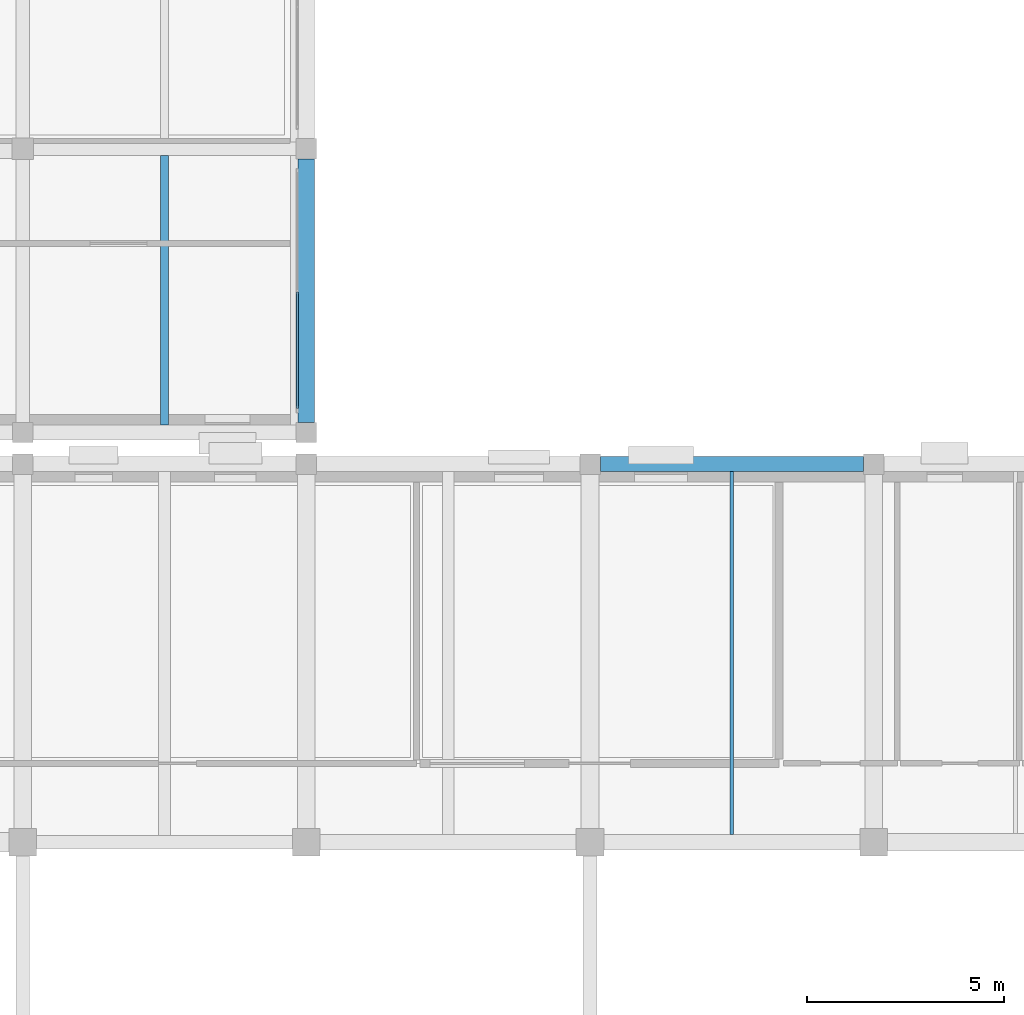
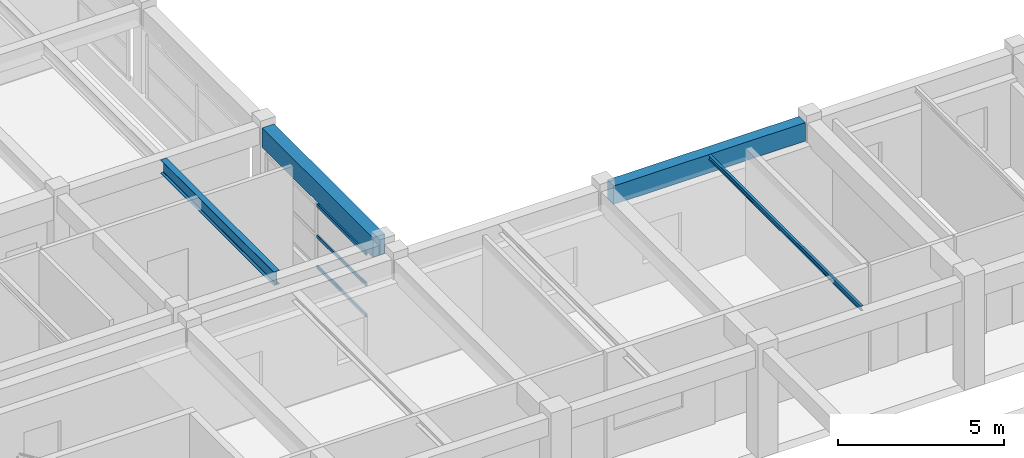
# One storey, part 7 of 67: 4 beams, 3 members, 1 element without a shape of its own.
"""IFC4 building model written with IfcOpenShell, lengths in metres."""

from ifc_helpers import new_model, si_unit, direction, frame, origin, origin_2d, place, context, subcontext, project, spatial, rectangle, hollow_rectangle, i_section, extrude, material, material_profile, profile_set, type_object, element, aggregate, save


model = new_model("IFC4")

# Units and contexts
model_context = context("Model", 3, precision=1e-05, world=origin(), true_north=direction((0.0, 1.0)))
body_context = subcontext(model_context, "Body", "Model", "MODEL_VIEW")
ifc_project = project(units=[si_unit("LENGTHUNIT", "METRE"), si_unit("AREAUNIT", "SQUARE_METRE"), si_unit("VOLUMEUNIT", "CUBIC_METRE"), si_unit("PLANEANGLEUNIT", "RADIAN"), si_unit("MASSUNIT", "GRAM", prefix="KILO")], contexts=[model_context])

# Site, building, storey
site_placement = place(None, origin())
site = spatial("IfcSite", under=ifc_project, at=site_placement, CompositionType="ELEMENT")
building_placement = place(site_placement, origin())
building = spatial("IfcBuilding", under=site, at=building_placement, Name="Bramveld Media Centre", CompositionType="ELEMENT")
storey_placement = place(building_placement, frame((0.0, 0.0, 5.39990234375)))
storey = spatial("IfcBuildingStorey", under=building, at=storey_placement, Name="L01", CompositionType="ELEMENT", Elevation=5.39990234375)

# Curtain wall, members
ifc_material_1 = material(Name="Thermally broken anodized bronze aluminium unitized curtain wall with solar-control triple glazing", Category="aluminium")
curtain_wall_type = type_object("IfcCurtainWallType", Name="CW-FACV3-6100x2330", PredefinedType="NOTDEFINED", material=ifc_material_1)
curtain_wall_placement = place(storey_placement, origin())
curtain_wall = element("IfcCurtainWall", 1, at=curtain_wall_placement, inside=storey, type_object=curtain_wall_type, Name="V3 L01 E curtain wall bay 1", PredefinedType="NOTDEFINED")
ifc_material_2 = material(Name="Thermally broken anodized bronze aluminium EN AW-6063 T6 curtain-wall framing", Category="aluminium")
ifc_material_profile_1 = material_profile(ifc_material_2, hollow_rectangle(XDim=0.06005859375, YDim=0.1201171875, WallThickness=0.00341796875, InnerFilletRadius=0.00341796875, OuterFilletRadius=0.007080078125, at=origin_2d()), Name="AL-TRAN 60x120")
ifc_profile_set_1 = profile_set([ifc_material_profile_1], Name="Thermally broken anodized bronze aluminium EN AW-6063 T6 curtain-wall framing")
member_type = type_object("IfcMemberType", Name="CW-TRAN-EXT", PredefinedType="USERDEFINED", material=ifc_profile_set_1)
member_1_placement = place(storey_placement, frame((35.77001953125, 39.81005859375, 0.880126953125), z_axis=(0.0, 1.0, 0.0), x_axis=(-1.0, 0.0, 0.0)))
member_1 = element("IfcMember", 2, at=member_1_placement, type_object=member_type, Name="CW-FA-6123 transom 1.1", ObjectType="TRANSOM", PredefinedType="USERDEFINED", context=body_context, shape_type="SweptSolid", body=[
    extrude(hollow_rectangle(XDim=0.06005859375, YDim=0.1201171875, WallThickness=0.00341796875, InnerFilletRadius=0.00341796875, OuterFilletRadius=0.007080078125, at=origin_2d()), origin(), (0.0, 0.0, 1.0), 2.9599609375),
])
member_2_placement = place(storey_placement, frame((35.77001953125, 39.81005859375, 2.01513671875), z_axis=(0.0, 1.0, 0.0), x_axis=(-1.0, 0.0, 0.0)))
member_2 = element("IfcMember", 3, at=member_2_placement, type_object=member_type, Name="CW-FA-6123 transom 1.2", ObjectType="TRANSOM", PredefinedType="USERDEFINED", context=body_context, shape_type="SweptSolid", body=[
    extrude(hollow_rectangle(XDim=0.06005859375, YDim=0.1201171875, WallThickness=0.00341796875, InnerFilletRadius=0.00341796875, OuterFilletRadius=0.007080078125, at=origin_2d()), origin(), (0.0, 0.0, 1.0), 2.9599609375),
])
member_3_placement = place(storey_placement, frame((35.77001953125, 39.81005859375, 3.150146484375), z_axis=(0.0, 1.0, 0.0), x_axis=(-1.0, 0.0, 0.0)))
member_3 = element("IfcMember", 4, at=member_3_placement, type_object=member_type, Name="CW-FA-6123 transom 1.3", ObjectType="TRANSOM", PredefinedType="USERDEFINED", context=body_context, shape_type="SweptSolid", body=[
    extrude(hollow_rectangle(XDim=0.06005859375, YDim=0.1201171875, WallThickness=0.00341796875, InnerFilletRadius=0.00341796875, OuterFilletRadius=0.007080078125, at=origin_2d()), origin(), (0.0, 0.0, 1.0), 2.9599609375),
])
aggregate(curtain_wall, [member_1, member_2, member_3])

# Beams
ifc_material_3 = material(Name="Steel S355J2", Category="steel")
ifc_material_profile_2 = material_profile(ifc_material_3, i_section(OverallWidth=0.091064453125, OverallDepth=0.179931640625, WebThickness=0.00537109375, FlangeThickness=0.008056640625, FilletRadius=0.009033203125, at=origin_2d()), Name="IPE 180")
ifc_profile_set_2 = profile_set([ifc_material_profile_2], Name="Steel S355J2")
beam_type_1 = type_object("IfcBeamType", Name="SBM-INT-IPE-180", PredefinedType="JOIST", material=ifc_profile_set_2)
beam_1_placement = place(storey_placement, frame((46.800048828125, 29.0, 3.830078125), z_axis=(0.0, 1.0, 0.0), x_axis=(-1.0, 0.0, 0.0)))
element("IfcBeam", 5, at=beam_1_placement, inside=storey, type_object=beam_type_1, Name="V2 L01 secondary floor joist 189", PredefinedType="JOIST", context=body_context, shape_type="SweptSolid", body=[
    extrude(i_section(OverallWidth=0.091064453125, OverallDepth=0.179931640625, WebThickness=0.00537109375, FlangeThickness=0.008056640625, FilletRadius=0.009033203125, at=origin_2d()), origin(), (0.0, 0.0, 1.0), 9.2099609375),
])
ifc_material_4 = material(Name="Steel S355J2", Category="steel")
ifc_material_profile_3 = material_profile(ifc_material_4, i_section(OverallWidth=0.199951171875, OverallDepth=0.5, WebThickness=0.01025390625, FlangeThickness=0.01611328125, FilletRadius=0.02099609375, at=origin_2d()), Name="IPE 500")
ifc_profile_set_3 = profile_set([ifc_material_profile_3], Name="Steel S355J2")
beam_type_2 = type_object("IfcBeamType", Name="SBM-INT-IPE-500", PredefinedType="BEAM", material=ifc_profile_set_3)
beam_2_placement = place(storey_placement, frame((32.39990234375, 39.389892578125, 3.690185546875), z_axis=(0.0, 1.0, 0.0), x_axis=(-1.0, 0.0, 0.0)))
element("IfcBeam", 6, at=beam_2_placement, inside=storey, type_object=beam_type_2, Name="V3 L01 secondary floor joist 319", PredefinedType="BEAM", context=body_context, shape_type="SweptSolid", body=[
    extrude(i_section(OverallWidth=0.199951171875, OverallDepth=0.5, WebThickness=0.01025390625, FlangeThickness=0.01611328125, FilletRadius=0.02099609375, at=origin_2d()), origin(), (0.0, 0.0, 1.0), 6.835205078125),
])
ifc_material_5 = material(Name="Concrete C40/50", Category="concrete")
ifc_material_profile_4 = material_profile(ifc_material_5, rectangle(XDim=0.3798828125, YDim=0.679931640625, at=origin_2d()), Name="RC 380x680")
ifc_profile_set_4 = profile_set([ifc_material_profile_4], Name="Concrete C40/50")
beam_type_3 = type_object("IfcBeamType", Name="SPANDREL-EXT-RC-380x680", PredefinedType="SPANDREL", material=ifc_profile_set_4)
beam_3_placement = place(storey_placement, frame((43.4599609375, 38.39990234375, 3.580078125), z_axis=(1.0, 0.0, 0.0), x_axis=(0.0, 1.0, 0.0)))
element("IfcBeam", 7, at=beam_3_placement, inside=storey, type_object=beam_type_3, Name="V2 L01 girder X-159", PredefinedType="SPANDREL", context=body_context, shape_type="SweptSolid", body=[
    extrude(rectangle(XDim=0.3798828125, YDim=0.679931640625, at=origin_2d()), origin(), (0.0, 0.0, 1.0), 6.679931640625),
])
ifc_material_6 = material(Name="Concrete C40/50", Category="concrete")
ifc_material_profile_5 = material_profile(ifc_material_6, rectangle(XDim=0.419921875, YDim=0.719970703125, at=origin_2d()), Name="RC 420x720")
ifc_profile_set_5 = profile_set([ifc_material_profile_5], Name="Concrete C40/50")
beam_type_4 = type_object("IfcBeamType", Name="SPANDREL-EXT-RC-420x720", PredefinedType="SPANDREL", material=ifc_profile_set_5)
beam_4_placement = place(storey_placement, frame((36.0, 39.4599609375, 3.580078125), z_axis=(0.0, 1.0, 0.0), x_axis=(-1.0, 0.0, 0.0)))
element("IfcBeam", 8, at=beam_4_placement, inside=storey, type_object=beam_type_4, Name="V3 L01 girder Y-301", PredefinedType="SPANDREL", context=body_context, shape_type="SweptSolid", body=[
    extrude(rectangle(XDim=0.419921875, YDim=0.719970703125, at=origin_2d()), origin(), (0.0, 0.0, 1.0), 6.679931640625),
])

save(model, "model.ifc")
